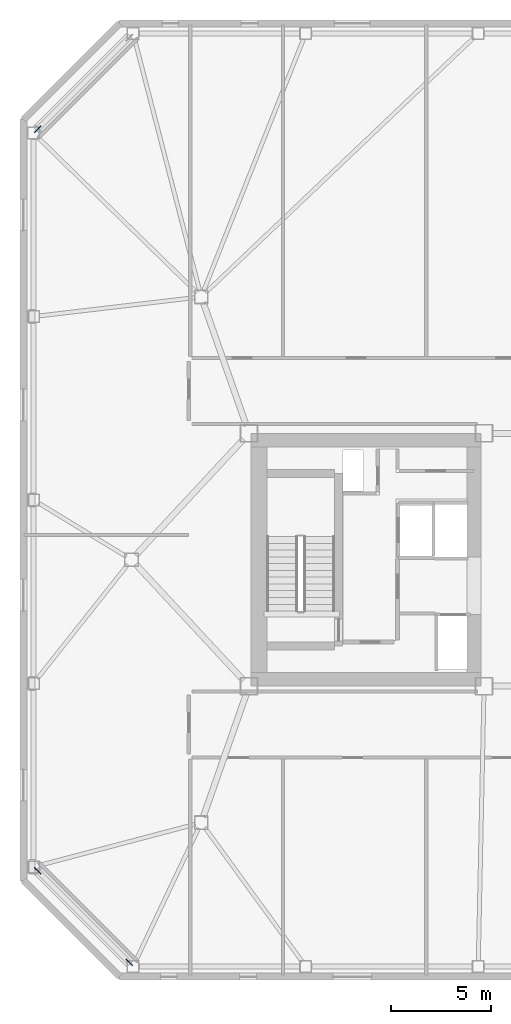
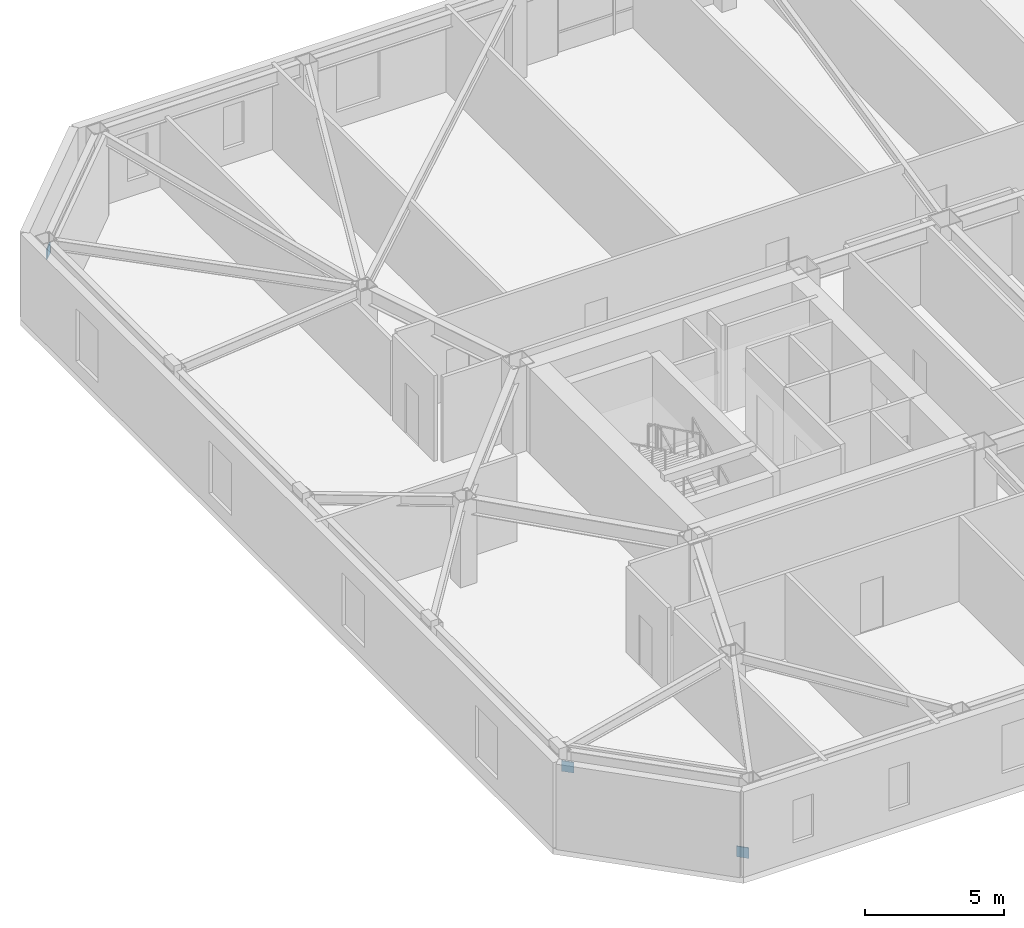
# One storey, part 15 of 18: 3 discrete accessories.
"""IFC4 building model written with IfcOpenShell, lengths in metres."""

from ifc_helpers import new_model, si_unit, direction, frame, origin, origin_2d, place, context, subcontext, project, spatial, rectangle, extrude, material, type_object, element, save


model = new_model("IFC4")

# Units and contexts
model_context = context("Model", 3, precision=1e-05, world=origin(), true_north=direction((0.0, 1.0)))
body_context = subcontext(model_context, "Body", "Model", "MODEL_VIEW")
ifc_project = project(units=[si_unit("LENGTHUNIT", "METRE"), si_unit("AREAUNIT", "SQUARE_METRE"), si_unit("VOLUMEUNIT", "CUBIC_METRE"), si_unit("PLANEANGLEUNIT", "RADIAN"), si_unit("MASSUNIT", "GRAM", prefix="KILO")], contexts=[model_context])

# Site, building, storey
site_placement = place(None, origin())
site = spatial("IfcSite", under=ifc_project, at=site_placement, CompositionType="ELEMENT")
building_placement = place(site_placement, origin())
building = spatial("IfcBuilding", under=site, at=building_placement, Name="Tavrogorsk Clinical Tower", CompositionType="ELEMENT")
storey_placement = place(building_placement, frame((0.0, 0.0, 200.199951171875)))
storey = spatial("IfcBuildingStorey", under=building, at=storey_placement, Name="L46", CompositionType="ELEMENT", Elevation=200.199951171875)

# Discrete accessories
ifc_material = material(Name="Structural steel S440", Category="steel")
discrete_accessory_type = type_object("IfcDiscreteAccessoryType", Name="GussetPlateBracket_25", PredefinedType="BRACKET", material=ifc_material)
for number, where, z_axis, x_axis, name in (
    (1, (-32.717529296875, 21.62255859375, 2.7470703125), (0.0, 0.0, 1.0), (-0.707106781187, -0.707106781187, 0.0), "L46 Brace Gusset Plate EXOCRN-L46-3-B"),
    (2, (-28.12255859375, -20.217529296875, 0.18310546875), (0.0, 0.0, 1.0), (-0.707106781187, 0.707106781187, 0.0), "L46 Brace Gusset Plate EXOCRN-L46-4-A"),
    (3, (-32.717529296875, -15.62255859375, 2.7470703125), (0.0, 0.0, 1.0), (-0.707106781187, 0.707106781187, 0.0), "L46 Brace Gusset Plate EXOCRN-L46-4-B"),
):
    element("IfcDiscreteAccessory", number, at=place(storey_placement, frame(where, z_axis=z_axis, x_axis=x_axis)), inside=storey, type_object=discrete_accessory_type, Name=name, PredefinedType="BRACKET", context=body_context, shape_type="SweptSolid", body=[
        extrude(rectangle(XDim=0.4599609375, YDim=0.0400390625, at=origin_2d()), origin(), (0.0, 0.0, 1.0), 0.4599609375),
    ])

save(model, "model.ifc")
